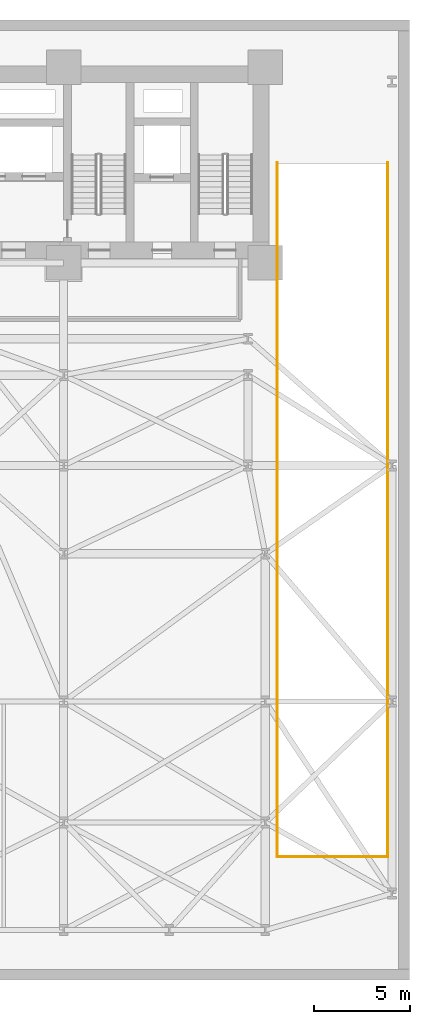
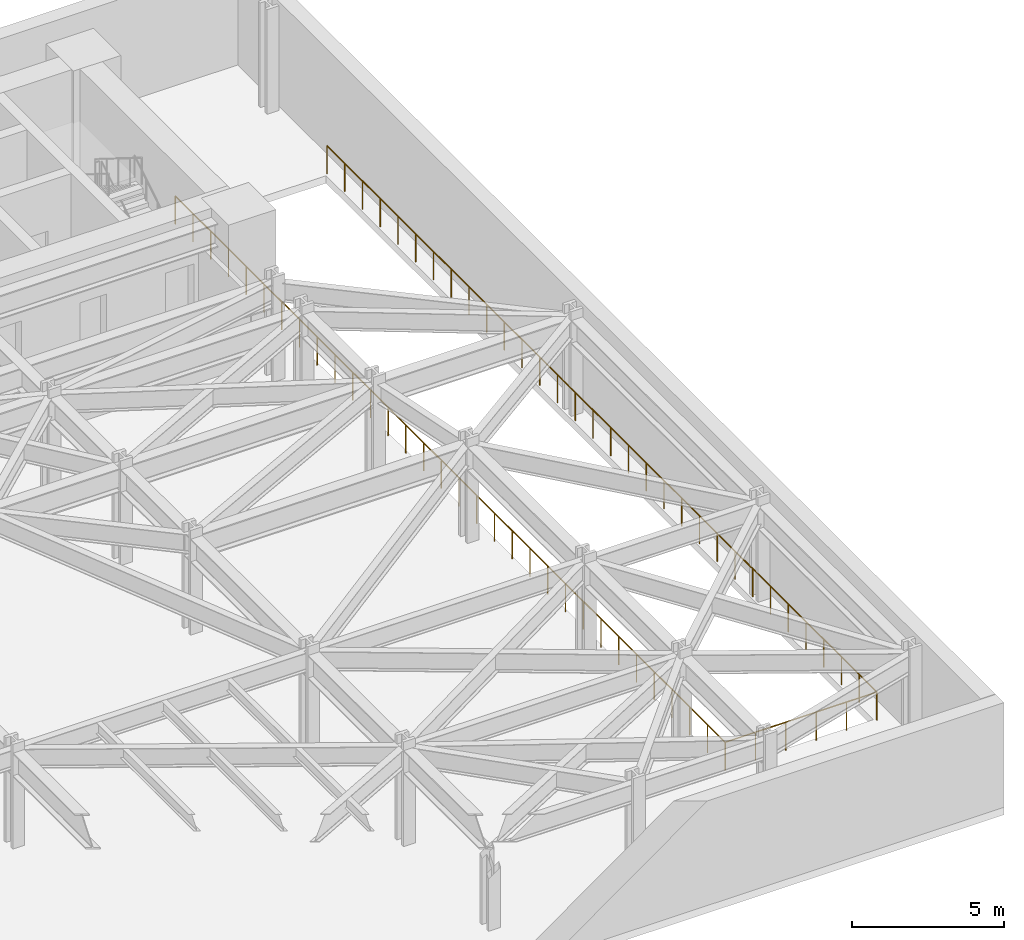
# One storey, part 10 of 11: 3 railings.
"""IFC4 building model written with IfcOpenShell, lengths in metres."""

from ifc_helpers import new_model, si_unit, direction, frame, origin, origin_2d, place, context, subcontext, project, spatial, circle, extrude, material, layer, layer_set, type_object, element, save


model = new_model("IFC4")

# Units and contexts
model_context = context("Model", 3, precision=1e-05, world=origin(), true_north=direction((0.0, 1.0)))
body_context = subcontext(model_context, "Body", "Model", "MODEL_VIEW")
ifc_project = project(units=[si_unit("LENGTHUNIT", "METRE"), si_unit("AREAUNIT", "SQUARE_METRE"), si_unit("VOLUMEUNIT", "CUBIC_METRE"), si_unit("PLANEANGLEUNIT", "RADIAN"), si_unit("MASSUNIT", "GRAM", prefix="KILO")], contexts=[model_context])

# Site, building, storey
site_placement = place(None, origin())
site = spatial("IfcSite", under=ifc_project, at=site_placement, CompositionType="ELEMENT")
building_placement = place(site_placement, origin())
building = spatial("IfcBuilding", under=site, at=building_placement, Name="Kravanh Interchange Tower", CompositionType="ELEMENT")
storey_placement = place(building_placement, frame((0.0, 0.0, -4.199951171875)))
storey = spatial("IfcBuildingStorey", under=building, at=storey_placement, Name="B1", CompositionType="ELEMENT", Elevation=-4.199951171875)

# Railings
ifc_material = material(Name="Structural Steel S355", Category="steel")
ifc_layer = layer(ifc_material, 0.070068359375)
ifc_layer_set = layer_set([ifc_layer], Name="Wind Storey Perimeter Safety Guardrail Structural Steel S355 1150mm")
railing_type = type_object("IfcRailingType", Name="Wind Storey Perimeter Safety Guardrail Structural Steel S355 1150mm", PredefinedType="GUARDRAIL", material=ifc_layer_set)
railing_1_placement = place(storey_placement, frame((67.1201171875, 42.580078125, 0.0)))
element("IfcRailing", 1, at=railing_1_placement, inside=storey, type_object=railing_type, Name="B1 Ramp Well Deck Guardrail 1", PredefinedType="GUARDRAIL", context=body_context, shape_type="SweptSolid", body=[
    extrude(circle(Radius=0.02392578125, at=origin_2d()), frame((0.0, 0.0, 1.1259765625), z_axis=(0.0, -1.0, 0.0), x_axis=(1.0, 0.0, 0.0)), (0.0, 0.0, 1.0), 36.16015625),
    extrude(circle(Radius=0.02099609375, at=origin_2d()), origin(), (0.0, 0.0, 1.0), 1.101806640625),
    extrude(circle(Radius=0.02099609375, at=origin_2d()), frame((0.0, -1.16650390625, 0.0)), (0.0, 0.0, 1.0), 1.101806640625),
    extrude(circle(Radius=0.02099609375, at=origin_2d()), frame((0.0, -2.3330078125, 0.0)), (0.0, 0.0, 1.0), 1.101806640625),
    extrude(circle(Radius=0.02099609375, at=origin_2d()), frame((0.0, -3.499267578125, 0.0)), (0.0, 0.0, 1.0), 1.101806640625),
    extrude(circle(Radius=0.02099609375, at=origin_2d()), frame((0.0, -4.665771484375, 0.0)), (0.0, 0.0, 1.0), 1.101806640625),
    extrude(circle(Radius=0.02099609375, at=origin_2d()), frame((0.0, -5.832275390625, 0.0)), (0.0, 0.0, 1.0), 1.101806640625),
    extrude(circle(Radius=0.02099609375, at=origin_2d()), frame((0.0, -6.998779296875, 0.0)), (0.0, 0.0, 1.0), 1.101806640625),
    extrude(circle(Radius=0.02099609375, at=origin_2d()), frame((0.0, -8.165283203125, 0.0)), (0.0, 0.0, 1.0), 1.101806640625),
    extrude(circle(Radius=0.02099609375, at=origin_2d()), frame((0.0, -9.33154296875, 0.0)), (0.0, 0.0, 1.0), 1.101806640625),
    extrude(circle(Radius=0.02099609375, at=origin_2d()), frame((0.0, -10.498046875, 0.0)), (0.0, 0.0, 1.0), 1.101806640625),
    extrude(circle(Radius=0.02099609375, at=origin_2d()), frame((0.0, -11.66455078125, 0.0)), (0.0, 0.0, 1.0), 1.101806640625),
    extrude(circle(Radius=0.02099609375, at=origin_2d()), frame((0.0, -12.8310546875, 0.0)), (0.0, 0.0, 1.0), 1.101806640625),
    extrude(circle(Radius=0.02099609375, at=origin_2d()), frame((0.0, -13.99755859375, 0.0)), (0.0, 0.0, 1.0), 1.101806640625),
    extrude(circle(Radius=0.02099609375, at=origin_2d()), frame((0.0, -15.163818359375, 0.0)), (0.0, 0.0, 1.0), 1.101806640625),
    extrude(circle(Radius=0.02099609375, at=origin_2d()), frame((0.0, -16.330322265625, 0.0)), (0.0, 0.0, 1.0), 1.101806640625),
    extrude(circle(Radius=0.02099609375, at=origin_2d()), frame((0.0, -17.496826171875, 0.0)), (0.0, 0.0, 1.0), 1.101806640625),
    extrude(circle(Radius=0.02099609375, at=origin_2d()), frame((0.0, -18.663330078125, 0.0)), (0.0, 0.0, 1.0), 1.101806640625),
    extrude(circle(Radius=0.02099609375, at=origin_2d()), frame((0.0, -19.829833984375, 0.0)), (0.0, 0.0, 1.0), 1.101806640625),
    extrude(circle(Radius=0.02099609375, at=origin_2d()), frame((0.0, -20.996337890625, 0.0)), (0.0, 0.0, 1.0), 1.101806640625),
    extrude(circle(Radius=0.02099609375, at=origin_2d()), frame((0.0, -22.16259765625, 0.0)), (0.0, 0.0, 1.0), 1.101806640625),
    extrude(circle(Radius=0.02099609375, at=origin_2d()), frame((0.0, -23.3291015625, 0.0)), (0.0, 0.0, 1.0), 1.101806640625),
    extrude(circle(Radius=0.02099609375, at=origin_2d()), frame((0.0, -24.49560546875, 0.0)), (0.0, 0.0, 1.0), 1.101806640625),
    extrude(circle(Radius=0.02099609375, at=origin_2d()), frame((0.0, -25.662109375, 0.0)), (0.0, 0.0, 1.0), 1.101806640625),
    extrude(circle(Radius=0.02099609375, at=origin_2d()), frame((0.0, -26.82861328125, 0.0)), (0.0, 0.0, 1.0), 1.101806640625),
    extrude(circle(Radius=0.02099609375, at=origin_2d()), frame((0.0, -27.994873046875, 0.0)), (0.0, 0.0, 1.0), 1.101806640625),
    extrude(circle(Radius=0.02099609375, at=origin_2d()), frame((0.0, -29.161376953125, 0.0)), (0.0, 0.0, 1.0), 1.101806640625),
    extrude(circle(Radius=0.02099609375, at=origin_2d()), frame((0.0, -30.327880859375, 0.0)), (0.0, 0.0, 1.0), 1.101806640625),
    extrude(circle(Radius=0.02099609375, at=origin_2d()), frame((0.0, -31.494384765625, 0.0)), (0.0, 0.0, 1.0), 1.101806640625),
    extrude(circle(Radius=0.02099609375, at=origin_2d()), frame((0.0, -32.660888671875, 0.0)), (0.0, 0.0, 1.0), 1.101806640625),
    extrude(circle(Radius=0.02099609375, at=origin_2d()), frame((0.0, -33.8271484375, 0.0)), (0.0, 0.0, 1.0), 1.101806640625),
    extrude(circle(Radius=0.02099609375, at=origin_2d()), frame((0.0, -34.99365234375, 0.0)), (0.0, 0.0, 1.0), 1.101806640625),
    extrude(circle(Radius=0.02099609375, at=origin_2d()), frame((0.0, -36.16015625, 0.0)), (0.0, 0.0, 1.0), 1.101806640625),
])
railing_2_placement = place(storey_placement, frame((67.1201171875, 6.419921875, 0.0)))
element("IfcRailing", 2, at=railing_2_placement, inside=storey, type_object=railing_type, Name="B1 Ramp Well Deck Guardrail 2", PredefinedType="GUARDRAIL", context=body_context, shape_type="SweptSolid", body=[
    extrude(circle(Radius=0.02392578125, at=origin_2d()), frame((0.0, 0.0, 1.1259765625), z_axis=(1.0, 0.0, 0.0), x_axis=(0.0, 1.0, 0.0)), (0.0, 0.0, 1.0), 5.759765625),
    extrude(circle(Radius=0.02099609375, at=origin_2d()), origin(), (0.0, 0.0, 1.0), 1.101806640625),
    extrude(circle(Radius=0.02099609375, at=origin_2d()), frame((1.15185546875, 0.0, 0.0)), (0.0, 0.0, 1.0), 1.101806640625),
    extrude(circle(Radius=0.02099609375, at=origin_2d()), frame((2.303955078125, 0.0, 0.0)), (0.0, 0.0, 1.0), 1.101806640625),
    extrude(circle(Radius=0.02099609375, at=origin_2d()), frame((3.455810546875, 0.0, 0.0)), (0.0, 0.0, 1.0), 1.101806640625),
    extrude(circle(Radius=0.02099609375, at=origin_2d()), frame((4.60791015625, 0.0, 0.0)), (0.0, 0.0, 1.0), 1.101806640625),
    extrude(circle(Radius=0.02099609375, at=origin_2d()), frame((5.759765625, 0.0, 0.0)), (0.0, 0.0, 1.0), 1.101806640625),
])
railing_3_placement = place(storey_placement, frame((72.8798828125, 6.419921875, 0.0)))
element("IfcRailing", 3, at=railing_3_placement, inside=storey, type_object=railing_type, Name="B1 Ramp Well Deck Guardrail 3", PredefinedType="GUARDRAIL", context=body_context, shape_type="SweptSolid", body=[
    extrude(circle(Radius=0.02392578125, at=origin_2d()), frame((0.0, 0.0, 1.1259765625), z_axis=(0.0, 1.0, 0.0), x_axis=(-1.0, 0.0, 0.0)), (0.0, 0.0, 1.0), 36.16015625),
    extrude(circle(Radius=0.02099609375, at=origin_2d()), origin(), (0.0, 0.0, 1.0), 1.101806640625),
    extrude(circle(Radius=0.02099609375, at=origin_2d()), frame((0.0, 1.16650390625, 0.0)), (0.0, 0.0, 1.0), 1.101806640625),
    extrude(circle(Radius=0.02099609375, at=origin_2d()), frame((0.0, 2.3330078125, 0.0)), (0.0, 0.0, 1.0), 1.101806640625),
    extrude(circle(Radius=0.02099609375, at=origin_2d()), frame((0.0, 3.499267578125, 0.0)), (0.0, 0.0, 1.0), 1.101806640625),
    extrude(circle(Radius=0.02099609375, at=origin_2d()), frame((0.0, 4.665771484375, 0.0)), (0.0, 0.0, 1.0), 1.101806640625),
    extrude(circle(Radius=0.02099609375, at=origin_2d()), frame((0.0, 5.832275390625, 0.0)), (0.0, 0.0, 1.0), 1.101806640625),
    extrude(circle(Radius=0.02099609375, at=origin_2d()), frame((0.0, 6.998779296875, 0.0)), (0.0, 0.0, 1.0), 1.101806640625),
    extrude(circle(Radius=0.02099609375, at=origin_2d()), frame((0.0, 8.165283203125, 0.0)), (0.0, 0.0, 1.0), 1.101806640625),
    extrude(circle(Radius=0.02099609375, at=origin_2d()), frame((0.0, 9.33154296875, 0.0)), (0.0, 0.0, 1.0), 1.101806640625),
    extrude(circle(Radius=0.02099609375, at=origin_2d()), frame((0.0, 10.498046875, 0.0)), (0.0, 0.0, 1.0), 1.101806640625),
    extrude(circle(Radius=0.02099609375, at=origin_2d()), frame((0.0, 11.66455078125, 0.0)), (0.0, 0.0, 1.0), 1.101806640625),
    extrude(circle(Radius=0.02099609375, at=origin_2d()), frame((0.0, 12.8310546875, 0.0)), (0.0, 0.0, 1.0), 1.101806640625),
    extrude(circle(Radius=0.02099609375, at=origin_2d()), frame((0.0, 13.99755859375, 0.0)), (0.0, 0.0, 1.0), 1.101806640625),
    extrude(circle(Radius=0.02099609375, at=origin_2d()), frame((0.0, 15.163818359375, 0.0)), (0.0, 0.0, 1.0), 1.101806640625),
    extrude(circle(Radius=0.02099609375, at=origin_2d()), frame((0.0, 16.330322265625, 0.0)), (0.0, 0.0, 1.0), 1.101806640625),
    extrude(circle(Radius=0.02099609375, at=origin_2d()), frame((0.0, 17.496826171875, 0.0)), (0.0, 0.0, 1.0), 1.101806640625),
    extrude(circle(Radius=0.02099609375, at=origin_2d()), frame((0.0, 18.663330078125, 0.0)), (0.0, 0.0, 1.0), 1.101806640625),
    extrude(circle(Radius=0.02099609375, at=origin_2d()), frame((0.0, 19.829833984375, 0.0)), (0.0, 0.0, 1.0), 1.101806640625),
    extrude(circle(Radius=0.02099609375, at=origin_2d()), frame((0.0, 20.996337890625, 0.0)), (0.0, 0.0, 1.0), 1.101806640625),
    extrude(circle(Radius=0.02099609375, at=origin_2d()), frame((0.0, 22.16259765625, 0.0)), (0.0, 0.0, 1.0), 1.101806640625),
    extrude(circle(Radius=0.02099609375, at=origin_2d()), frame((0.0, 23.3291015625, 0.0)), (0.0, 0.0, 1.0), 1.101806640625),
    extrude(circle(Radius=0.02099609375, at=origin_2d()), frame((0.0, 24.49560546875, 0.0)), (0.0, 0.0, 1.0), 1.101806640625),
    extrude(circle(Radius=0.02099609375, at=origin_2d()), frame((0.0, 25.662109375, 0.0)), (0.0, 0.0, 1.0), 1.101806640625),
    extrude(circle(Radius=0.02099609375, at=origin_2d()), frame((0.0, 26.82861328125, 0.0)), (0.0, 0.0, 1.0), 1.101806640625),
    extrude(circle(Radius=0.02099609375, at=origin_2d()), frame((0.0, 27.994873046875, 0.0)), (0.0, 0.0, 1.0), 1.101806640625),
    extrude(circle(Radius=0.02099609375, at=origin_2d()), frame((0.0, 29.161376953125, 0.0)), (0.0, 0.0, 1.0), 1.101806640625),
    extrude(circle(Radius=0.02099609375, at=origin_2d()), frame((0.0, 30.327880859375, 0.0)), (0.0, 0.0, 1.0), 1.101806640625),
    extrude(circle(Radius=0.02099609375, at=origin_2d()), frame((0.0, 31.494384765625, 0.0)), (0.0, 0.0, 1.0), 1.101806640625),
    extrude(circle(Radius=0.02099609375, at=origin_2d()), frame((0.0, 32.660888671875, 0.0)), (0.0, 0.0, 1.0), 1.101806640625),
    extrude(circle(Radius=0.02099609375, at=origin_2d()), frame((0.0, 33.8271484375, 0.0)), (0.0, 0.0, 1.0), 1.101806640625),
    extrude(circle(Radius=0.02099609375, at=origin_2d()), frame((0.0, 34.99365234375, 0.0)), (0.0, 0.0, 1.0), 1.101806640625),
    extrude(circle(Radius=0.02099609375, at=origin_2d()), frame((0.0, 36.16015625, 0.0)), (0.0, 0.0, 1.0), 1.101806640625),
])

save(model, "model.ifc")
